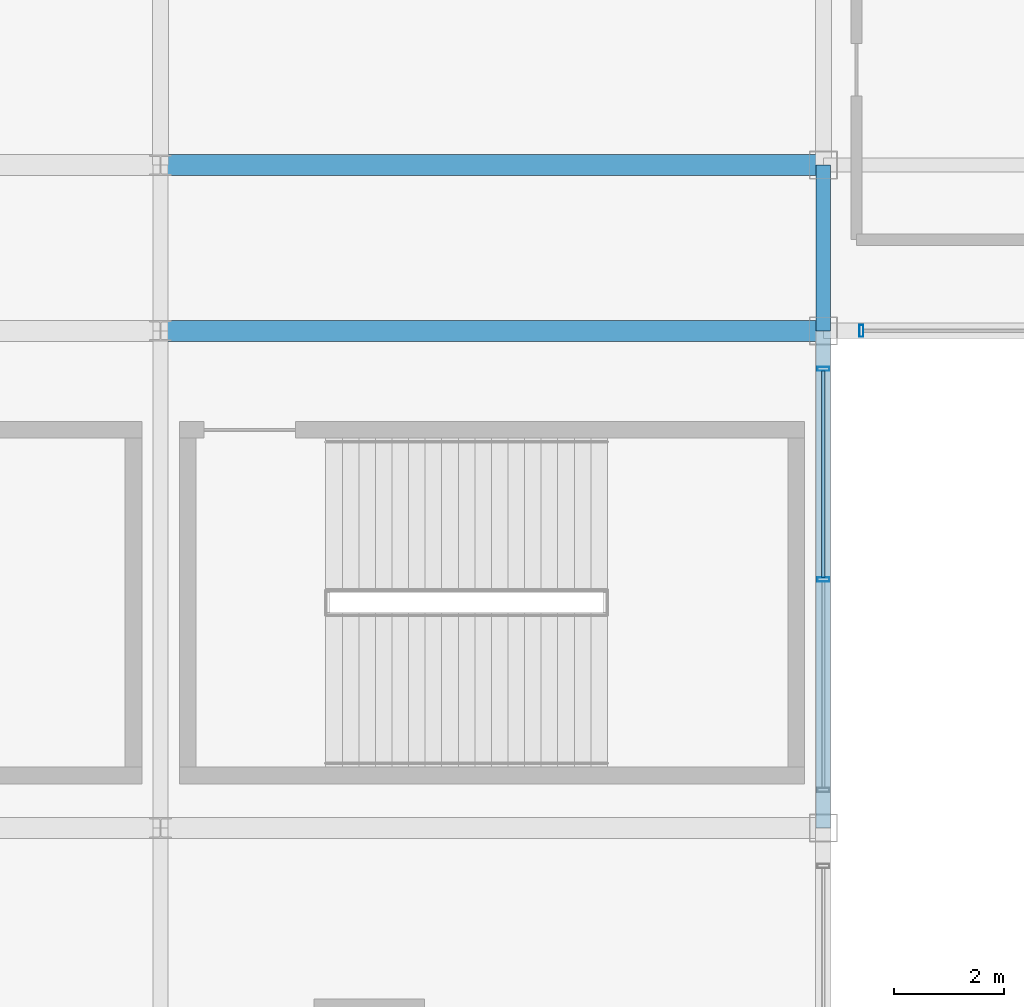
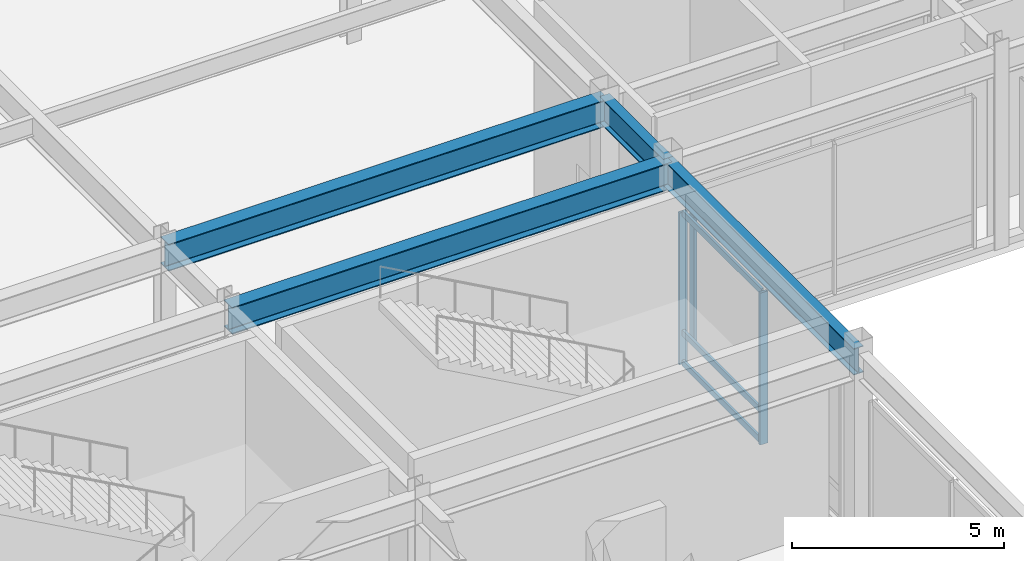
# One storey, part 67 of 108: 6 members, 4 beams, 2 elements without a shape of their own.
"""IFC4 building model written with IfcOpenShell, lengths in metres."""

from ifc_helpers import new_model, si_unit, direction, frame, origin, origin_2d, place, context, subcontext, project, spatial, hollow_rectangle, i_section, extrude, material, material_profile, profile_set, type_object, element, aggregate, save


model = new_model("IFC4")

# Units and contexts
model_context = context("Model", 3, precision=1e-05, world=origin(), true_north=direction((0.0, 1.0)))
body_context = subcontext(model_context, "Body", "Model", "MODEL_VIEW")
ifc_project = project(units=[si_unit("LENGTHUNIT", "METRE"), si_unit("AREAUNIT", "SQUARE_METRE"), si_unit("VOLUMEUNIT", "CUBIC_METRE"), si_unit("PLANEANGLEUNIT", "RADIAN"), si_unit("MASSUNIT", "GRAM", prefix="KILO")], contexts=[model_context])

# Site, building, storey
site_placement = place(None, origin())
site = spatial("IfcSite", under=ifc_project, at=site_placement, CompositionType="ELEMENT")
building_placement = place(site_placement, origin())
building = spatial("IfcBuilding", under=site, at=building_placement, Name="Kaldorvane Square Convention Centre", CompositionType="ELEMENT")
storey_placement = place(building_placement, frame((0.0, 0.0, 12.0)))
storey = spatial("IfcBuildingStorey", under=building, at=storey_placement, Name="L02", CompositionType="ELEMENT", Elevation=12.0)

# Beams
ifc_material_1 = material(Name="Steel ASTM A992 Gr. 50", Category="steel")
ifc_material_profile_1 = material_profile(ifc_material_1, i_section(OverallWidth=0.2666015625, OverallDepth=0.762298583984375, WebThickness=0.014404296875, FlangeThickness=0.0216064453125, FilletRadius=0.0164947509765625, at=origin_2d()), Name="W30X116")
ifc_profile_set_1 = profile_set([ifc_material_profile_1], Name="Steel ASTM A992 Gr. 50")
beam_type_1 = type_object("IfcBeamType", Name="BM-GR-W30X116", PredefinedType="BEAM", material=ifc_profile_set_1)
beam_1_placement = place(storey_placement, frame((138.0, 72.0, 5.264801025390625), z_axis=(0.0, 1.0, 0.0), x_axis=(-1.0, 0.0, 0.0)))
element("IfcBeam", 1, at=beam_1_placement, inside=storey, type_object=beam_type_1, Name="Transverse Girder (L02)", PredefinedType="BEAM", context=body_context, shape_type="SweptSolid", body=[
    extrude(i_section(OverallWidth=0.2666015625, OverallDepth=0.762298583984375, WebThickness=0.014404296875, FlangeThickness=0.0216064453125, FilletRadius=0.0164947509765625, at=origin_2d()), origin(), (0.0, 0.0, 1.0), 9.0),
])
beam_2_placement = place(storey_placement, frame((138.0, 81.0, 5.264801025390625), z_axis=(0.0, 1.0, 0.0), x_axis=(-1.0, 0.0, 0.0)))
element("IfcBeam", 2, at=beam_2_placement, inside=storey, type_object=beam_type_1, Name="Transverse Girder (L02)", PredefinedType="BEAM", context=body_context, shape_type="SweptSolid", body=[
    extrude(i_section(OverallWidth=0.2666015625, OverallDepth=0.762298583984375, WebThickness=0.014404296875, FlangeThickness=0.0216064453125, FilletRadius=0.0164947509765625, at=origin_2d()), origin(), (0.0, 0.0, 1.0), 3.0),
])
ifc_material_profile_2 = material_profile(ifc_material_1, i_section(OverallWidth=0.380706787109375, OverallDepth=0.773193359375, WebThickness=0.0166015625, FlangeThickness=0.027099609375, FilletRadius=0.0164947509765625, at=origin_2d()), Name="W30X173")
ifc_profile_set_2 = profile_set([ifc_material_profile_2], Name="Steel ASTM A992 Gr. 50")
beam_type_2 = type_object("IfcBeamType", Name="BM-GR-W30X173", PredefinedType="BEAM", material=ifc_profile_set_2)
for number, where, z_axis, x_axis, name in (
    (3, (126.0, 81.0, 5.2593994140625), (1.0, 0.0, 0.0), (0.0, 1.0, 0.0), "Primary Girder (L02)"),
    (4, (126.0, 84.0, 5.2593994140625), (1.0, 0.0, 0.0), (0.0, 1.0, 0.0), "Primary Girder (L02)"),
):
    element("IfcBeam", number, at=place(storey_placement, frame(where, z_axis=z_axis, x_axis=x_axis)), inside=storey, type_object=beam_type_2, Name=name, PredefinedType="BEAM", context=body_context, shape_type="SweptSolid", body=[
        extrude(i_section(OverallWidth=0.380706787109375, OverallDepth=0.773193359375, WebThickness=0.0166015625, FlangeThickness=0.027099609375, FilletRadius=0.0164947509765625, at=origin_2d()), origin(), (0.0, 0.0, 1.0), 12.0),
    ])

# Curtain wall, members
ifc_material_2 = material(Name="Anodized Aluminum and Low-E Insulated Glazing", Category="aluminium")
curtain_wall_type = type_object("IfcCurtainWallType", Name="CW-PTS-FC-60", PredefinedType="USERDEFINED", material=ifc_material_2)
curtain_wall_1_placement = place(storey_placement, origin())
curtain_wall_1 = element("IfcCurtainWall", 5, at=curtain_wall_1_placement, inside=storey, type_object=curtain_wall_type, Name="Curtain Wall CW-07 (L02)", ObjectType="POINT SUPPORTED GLAZING", PredefinedType="USERDEFINED")
ifc_material_profile_3 = material_profile(ifc_material_2, hollow_rectangle(XDim=0.0749969482421875, YDim=0.220001220703125, WallThickness=0.003997802734375, at=origin_2d()), Name="CWM-220X75")
ifc_profile_set_3 = profile_set([ifc_material_profile_3], Name="Anodized Aluminum and Low-E Insulated Glazing")
member_type_1 = type_object("IfcMemberType", Name="CW-MUL-220", PredefinedType="MULLION", material=ifc_profile_set_3)
member_1_placement = place(storey_placement, frame((138.0, 76.5, 0.149993896484375), z_axis=(0.0, 0.0, 1.0), x_axis=(0.0, 1.0, 0.0)))
member_1 = element("IfcMember", 6, at=member_1_placement, type_object=member_type_1, Name="CW-07 mullion 2", PredefinedType="MULLION", context=body_context, shape_type="SweptSolid", body=[
    extrude(hollow_rectangle(XDim=0.0749969482421875, YDim=0.220001220703125, WallThickness=0.003997802734375, at=origin_2d()), origin(), (0.0, 0.0, 1.0), 4.3800048828125),
])
member_2_placement = place(storey_placement, frame((138.0, 80.3125, 0.149993896484375), z_axis=(0.0, 0.0, 1.0), x_axis=(0.0, 1.0, 0.0)))
member_2 = element("IfcMember", 7, at=member_2_placement, type_object=member_type_1, Name="CW-07 mullion 3", PredefinedType="MULLION", context=body_context, shape_type="SweptSolid", body=[
    extrude(hollow_rectangle(XDim=0.0749969482421875, YDim=0.220001220703125, WallThickness=0.003997802734375, at=origin_2d()), origin(), (0.0, 0.0, 1.0), 4.3800048828125),
])

# Curtain wall, member
curtain_wall_2_placement = place(storey_placement, origin())
curtain_wall_2 = element("IfcCurtainWall", 8, at=curtain_wall_2_placement, inside=storey, type_object=curtain_wall_type, Name="Curtain Wall CW-07 (L02)", ObjectType="POINT SUPPORTED GLAZING", PredefinedType="USERDEFINED")
member_3_placement = place(storey_placement, frame((138.6875, 81.0, 0.149993896484375), z_axis=(0.0, 0.0, 1.0), x_axis=(1.0, 0.0, 0.0)))
member_3 = element("IfcMember", 9, at=member_3_placement, type_object=member_type_1, Name="CW-07 mullion 1", PredefinedType="MULLION", context=body_context, shape_type="SweptSolid", body=[
    extrude(hollow_rectangle(XDim=0.0749969482421875, YDim=0.220001220703125, WallThickness=0.003997802734375, at=origin_2d()), origin(), (0.0, 0.0, 1.0), 4.3800048828125),
])
aggregate(curtain_wall_2, [member_3])

# Member
ifc_material_profile_4 = material_profile(ifc_material_2, hollow_rectangle(XDim=0.06500244140625, YDim=0.17999267578125, WallThickness=0.0034942626953125, at=origin_2d()), Name="CWT-180X65")
ifc_profile_set_4 = profile_set([ifc_material_profile_4], Name="Anodized Aluminum and Low-E Insulated Glazing")
member_type_2 = type_object("IfcMemberType", Name="CW-TRN-180", PredefinedType="USERDEFINED", material=ifc_profile_set_4)
member_4_placement = place(storey_placement, frame((138.0, 76.53750610351562, 0.1824951171875), z_axis=(0.0, 1.0, 0.0), x_axis=(-1.0, 0.0, 0.0)))
member_4 = element("IfcMember", 10, at=member_4_placement, type_object=member_type_2, Name="CW-07 transom 2.1", ObjectType="TRANSOM", PredefinedType="USERDEFINED", context=body_context, shape_type="SweptSolid", body=[
    extrude(hollow_rectangle(XDim=0.06500244140625, YDim=0.17999267578125, WallThickness=0.0034942626953125, at=origin_2d()), origin(), (0.0, 0.0, 1.0), 3.73748779296875),
])

member_5_placement = place(storey_placement, frame((138.0, 76.53750610351562, 1.0500030517578125), z_axis=(0.0, 1.0, 0.0), x_axis=(-1.0, 0.0, 0.0)))
member_5 = element("IfcMember", 11, at=member_5_placement, type_object=member_type_2, Name="CW-07 transom 2.2", ObjectType="TRANSOM", PredefinedType="USERDEFINED", context=body_context, shape_type="SweptSolid", body=[
    extrude(hollow_rectangle(XDim=0.06500244140625, YDim=0.17999267578125, WallThickness=0.0034942626953125, at=origin_2d()), origin(), (0.0, 0.0, 1.0), 3.73748779296875),
])

member_6_placement = place(storey_placement, frame((138.0, 76.53750610351562, 4.49749755859375), z_axis=(0.0, 1.0, 0.0), x_axis=(-1.0, 0.0, 0.0)))
member_6 = element("IfcMember", 12, at=member_6_placement, type_object=member_type_2, Name="CW-07 transom 2.3", ObjectType="TRANSOM", PredefinedType="USERDEFINED", context=body_context, shape_type="SweptSolid", body=[
    extrude(hollow_rectangle(XDim=0.06500244140625, YDim=0.17999267578125, WallThickness=0.0034942626953125, at=origin_2d()), origin(), (0.0, 0.0, 1.0), 3.73748779296875),
])

aggregate(curtain_wall_1, [member_1, member_2, member_4, member_5, member_6])

save(model, "model.ifc")
